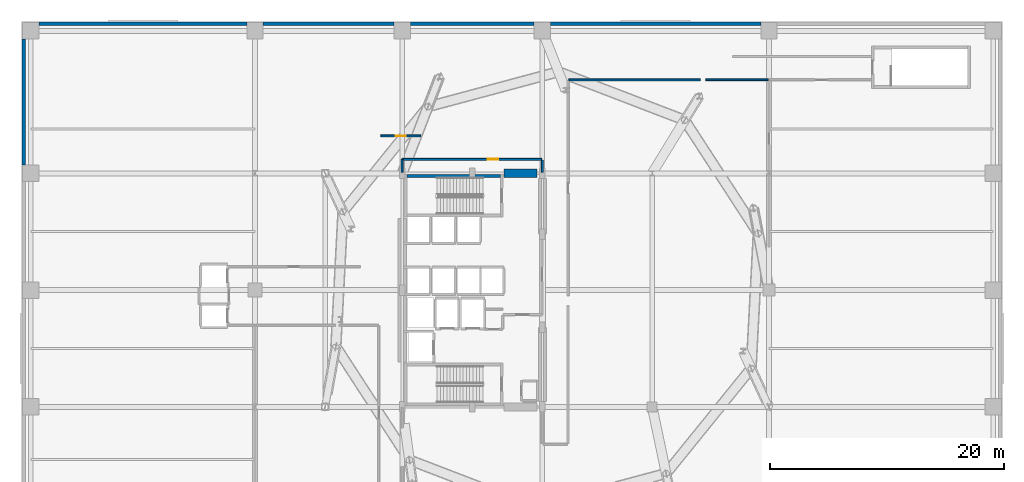
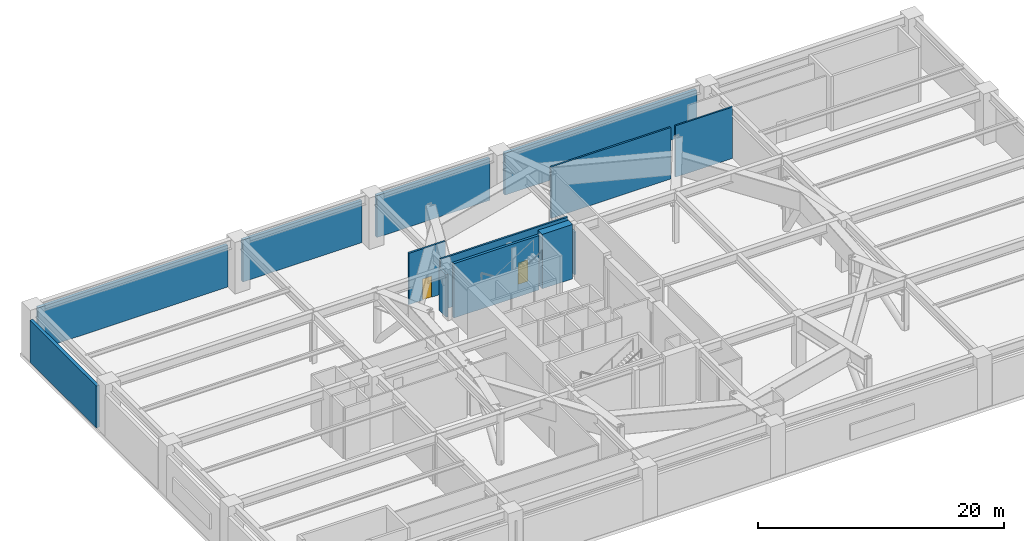
# One storey, part 8 of 12: 13 walls, 2 doors, 2 openings.
"""IFC4 building model written with IfcOpenShell, lengths in metres."""

from ifc_helpers import new_model, si_unit, direction, frame, frame_2d, origin, place, context, subcontext, project, spatial, rectangle, extrude, material, layer, layer_set, type_object, element, fill, save


model = new_model("IFC4")

# Units and contexts
model_context = context("Model", 3, precision=1e-05, world=origin(), true_north=direction((0.0, 1.0)))
body_context = subcontext(model_context, "Body", "Model", "MODEL_VIEW")
ifc_project = project(units=[si_unit("LENGTHUNIT", "METRE"), si_unit("AREAUNIT", "SQUARE_METRE"), si_unit("VOLUMEUNIT", "CUBIC_METRE"), si_unit("PLANEANGLEUNIT", "RADIAN"), si_unit("MASSUNIT", "GRAM", prefix="KILO")], contexts=[model_context])

# Site, building, storey
site_placement = place(None, origin())
site = spatial("IfcSite", under=ifc_project, at=site_placement, CompositionType="ELEMENT")
building_placement = place(site_placement, origin())
building = spatial("IfcBuilding", under=site, at=building_placement, Name="Soratama Intermodal Tower", CompositionType="ELEMENT")
storey_placement = place(building_placement, frame((0.0, 0.0, 25.199951171875)))
storey = spatial("IfcBuildingStorey", under=building, at=storey_placement, Name="L05", CompositionType="ELEMENT", Elevation=25.199951171875)

# Walls
ifc_material_1 = material(Name="Concrete f'c 42 MPa", Category="concrete")
ifc_layer_1 = layer(ifc_material_1, 0.300048828125)
ifc_layer_set_1 = layer_set([ifc_layer_1], Name="Concrete f'c 42 MPa")
wall_type_1 = type_object("IfcWallType", Name="EW-STONE-300", PredefinedType="SOLIDWALL", material=ifc_layer_set_1)
wall_1_placement = place(storey_placement, frame((1.5, 47.800048828125, 0.0), z_axis=(0.0, 0.0, 1.0), x_axis=(1.0, 0.0, 0.0)))
element("IfcWall", 1, at=wall_1_placement, inside=storey, type_object=wall_type_1, Name="L05 Transfer Plant Wall N1", PredefinedType="SOLIDWALL", context=body_context, shape_type="SweptSolid", body=[
    extrude(rectangle(XDim=17.800048828125, YDim=0.300048828125, at=frame_2d((8.89990234375, 0.0))), origin(), (0.0, 0.0, 1.0), 4.156005859375),
])
wall_2_placement = place(storey_placement, frame((20.699951171875, 47.800048828125, 0.0), z_axis=(0.0, 0.0, 1.0), x_axis=(1.0, 0.0, 0.0)))
element("IfcWall", 2, at=wall_2_placement, inside=storey, type_object=wall_type_1, Name="L05 Transfer Plant Wall N2", PredefinedType="SOLIDWALL", context=body_context, shape_type="SweptSolid", body=[
    extrude(rectangle(XDim=11.199951171875, YDim=0.300048828125, at=frame_2d((5.60009765625, 0.0))), origin(), (0.0, 0.0, 1.0), 4.156005859375),
])
wall_3_placement = place(storey_placement, frame((33.300048828125, 47.800048828125, 0.0), z_axis=(0.0, 0.0, 1.0), x_axis=(1.0, 0.0, 0.0)))
element("IfcWall", 3, at=wall_3_placement, inside=storey, type_object=wall_type_1, Name="L05 Transfer Plant Wall N3", PredefinedType="SOLIDWALL", context=body_context, shape_type="SweptSolid", body=[
    extrude(rectangle(XDim=10.599853515625, YDim=0.300048828125, at=frame_2d((5.2998046875, 0.0))), origin(), (0.0, 0.0, 1.0), 4.156005859375),
])
wall_4_placement = place(storey_placement, frame((45.300048828125, 47.800048828125, 0.0), z_axis=(0.0, 0.0, 1.0), x_axis=(1.0, 0.0, 0.0)))
element("IfcWall", 4, at=wall_4_placement, inside=storey, type_object=wall_type_1, Name="L05 Transfer Plant Wall N4", PredefinedType="SOLIDWALL", context=body_context, shape_type="SweptSolid", body=[
    extrude(rectangle(XDim=18.0, YDim=0.300048828125, at=frame_2d((9.0, 0.0))), origin(), (0.0, 0.0, 1.0), 4.156005859375),
])
wall_5_placement = place(storey_placement, frame((0.199951171875, 35.699951171875, 0.0), z_axis=(0.0, 0.0, 1.0), x_axis=(0.0, 1.0, 0.0)))
element("IfcWall", 5, at=wall_5_placement, inside=storey, type_object=wall_type_1, Name="L05 Transfer Plant Wall W4", PredefinedType="SOLIDWALL", context=body_context, shape_type="SweptSolid", body=[
    extrude(rectangle(XDim=10.800048828125, YDim=0.300048828125, at=frame_2d((5.39990234375, 0.0))), origin(), (0.0, 0.0, 1.0), 4.156005859375),
])
ifc_material_2 = material(Name="Fire-rated gypsum stud partition", Category="concrete")
ifc_layer_2 = layer(ifc_material_2, 0.14990234375)
ifc_layer_set_2 = layer_set([ifc_layer_2], Name="Fire-rated gypsum stud partition")
wall_type_2 = type_object("IfcWallType", Name="IW-PART-R150", PredefinedType="PARTITIONING", material=ifc_layer_set_2)
wall_6_placement = place(storey_placement, frame((63.929931640625, 43.0, 0.0), z_axis=(0.0, 0.0, 1.0), x_axis=(-1.0, 0.0, 0.0)))
element("IfcWall", 6, at=wall_6_placement, inside=storey, type_object=wall_type_2, Name="L05 Partition W-L05-TP030", PredefinedType="PARTITIONING", context=body_context, shape_type="SweptSolid", body=[
    extrude(rectangle(XDim=5.35205078125, YDim=0.14990234375, at=frame_2d((2.676025390625, 0.0))), origin(), (0.0, 0.0, 1.0), 5.10009765625),
])

# Wall, opening, door
ifc_material_3 = material(Name="Fire-rated gypsum stud partition", Category="concrete")
ifc_layer_3 = layer(ifc_material_3, 0.169921875)
ifc_layer_set_3 = layer_set([ifc_layer_3], Name="Fire-rated gypsum stud partition")
wall_type_3 = type_object("IfcWallType", Name="IW-PART-R170", PredefinedType="PARTITIONING", material=ifc_layer_set_3)
wall_7_placement = place(storey_placement, frame((44.530029296875, 36.199951171875, 0.0), z_axis=(0.0, 0.0, 1.0), x_axis=(-1.0, 0.0, 0.0)))
wall_7 = element("IfcWall", 7, at=wall_7_placement, inside=storey, type_object=wall_type_3, Name="L05 Partition W-L05-TP005", PredefinedType="PARTITIONING", context=body_context, shape_type="SweptSolid", body=[
    extrude(rectangle(XDim=11.929931640625, YDim=0.169921875, at=frame_2d((5.96484375, 0.0))), origin(), (0.0, 0.0, 1.0), 5.10009765625),
])
opening_1_placement = place(wall_7_placement, frame((3.699951171875, 0.0, 0.0)))
opening_1 = element("IfcOpeningElement", 8, at=opening_1_placement, cuts=wall_7, Name="Opening ID-6", PredefinedType="OPENING", context=body_context, shape_type="SweptSolid", body=[
    extrude(rectangle(XDim=0.919921875, YDim=2.1201171875, at=frame_2d((0.4599609375, 1.06005859375))), frame((0.0, 0.094970703125, 0.0), z_axis=(0.0, -1.0, 0.0), x_axis=(1.0, 0.0, 0.0)), (0.0, 0.0, 1.0), 0.18994140625),
])
ifc_material_4 = material(Name="Solid hardwood acoustic door", Category="wood")
door_type_1 = type_object("IfcDoorType", Name="DR-ROOM-920", OperationType="NOTDEFINED", PredefinedType="DOOR", material=ifc_material_4)
door_1_placement = place(opening_1_placement, origin())
door_1 = element("IfcDoor", 9, at=door_1_placement, inside=storey, type_object=door_type_1, Name="L05 Door D-L05-TP003", OperationType="SINGLE_SWING_RIGHT", OverallHeight=2.1201171875, OverallWidth=0.919921875, PredefinedType="DOOR", context=body_context, shape_type="SweptSolid", body=[
    extrude(rectangle(XDim=0.919921875, YDim=2.1201171875, at=frame_2d((0.4599609375, 1.06005859375))), frame((0.0, 0.02490234375, 0.0), z_axis=(0.0, -1.0, 0.0), x_axis=(1.0, 0.0, 0.0)), (0.0, 0.0, 1.0), 0.050048828125),
])
fill(opening_1, door_1)

# Walls
wall_8_placement = place(storey_placement, frame((32.60009765625, 36.199951171875, 0.0), z_axis=(0.0, 0.0, 1.0), x_axis=(0.0, -1.0, 0.0)))
element("IfcWall", 10, at=wall_8_placement, inside=storey, type_object=wall_type_3, Name="L05 Partition W-L05-TP020", PredefinedType="PARTITIONING", context=body_context, shape_type="SweptSolid", body=[
    extrude(rectangle(XDim=1.1298828125, YDim=0.169921875, at=frame_2d((0.56494140625, 0.0))), origin(), (0.0, 0.0, 1.0), 4.22216796875),
])
wall_9_placement = place(storey_placement, frame((44.60009765625, 35.070068359375, 0.0), z_axis=(0.0, 0.0, 1.0), x_axis=(0.0, 1.0, 0.0)))
element("IfcWall", 11, at=wall_9_placement, inside=storey, type_object=wall_type_3, Name="L05 Partition W-L05-TP022", PredefinedType="PARTITIONING", context=body_context, shape_type="SweptSolid", body=[
    extrude(rectangle(XDim=1.059814453125, YDim=0.169921875, at=frame_2d((0.52978515625, 0.0))), origin(), (0.0, 0.0, 1.0), 4.22216796875),
])
wall_10_placement = place(storey_placement, frame((58.12109375, 43.0, 0.0), z_axis=(0.0, 0.0, 1.0), x_axis=(-1.0, 0.0, 0.0)))
element("IfcWall", 12, at=wall_10_placement, inside=storey, type_object=wall_type_3, Name="L05 Partition W-L05-TP028", PredefinedType="PARTITIONING", context=body_context, shape_type="SweptSolid", body=[
    extrude(rectangle(XDim=11.2509765625, YDim=0.169921875, at=frame_2d((5.62548828125, 0.0))), origin(), (0.0, 0.0, 1.0), 5.10009765625),
])

# Wall, opening, door
wall_11_placement = place(storey_placement, frame((30.77294921875, 38.199951171875, 0.0), z_axis=(0.0, 0.0, 1.0), x_axis=(1.0, 0.0, 0.0)))
wall_11 = element("IfcWall", 13, at=wall_11_placement, inside=storey, type_object=wall_type_3, Name="L05 Partition W-L05-TP031", PredefinedType="PARTITIONING", context=body_context, shape_type="SweptSolid", body=[
    extrude(rectangle(XDim=3.43310546875, YDim=0.169921875, at=frame_2d((1.716552734375, 0.0))), origin(), (0.0, 0.0, 1.0), 5.10009765625),
])
opening_2_placement = place(wall_11_placement, frame((1.2919921875, 0.0, 0.0)))
opening_2 = element("IfcOpeningElement", 14, at=opening_2_placement, cuts=wall_11, Name="Opening ID-4", PredefinedType="OPENING", context=body_context, shape_type="SweptSolid", body=[
    extrude(rectangle(XDim=0.85009765625, YDim=2.10009765625, at=frame_2d((0.425048828125, 1.050048828125))), frame((0.0, 0.094970703125, 0.0), z_axis=(0.0, -1.0, 0.0), x_axis=(1.0, 0.0, 0.0)), (0.0, 0.0, 1.0), 0.18994140625),
])
ifc_material_5 = material(Name="Solid hardwood acoustic door", Category="wood")
door_type_2 = type_object("IfcDoorType", Name="DR-BATH-850", OperationType="NOTDEFINED", PredefinedType="DOOR", material=ifc_material_5)
door_2_placement = place(opening_2_placement, origin())
door_2 = element("IfcDoor", 15, at=door_2_placement, inside=storey, type_object=door_type_2, Name="L05 Door D-L05-TP013", OperationType="SINGLE_SWING_LEFT", OverallHeight=2.10009765625, OverallWidth=0.85009765625, PredefinedType="DOOR", context=body_context, shape_type="SweptSolid", body=[
    extrude(rectangle(XDim=0.85009765625, YDim=2.10009765625, at=frame_2d((0.425048828125, 1.050048828125))), frame((0.0, 0.02490234375, 0.0), z_axis=(0.0, -1.0, 0.0), x_axis=(1.0, 0.0, 0.0)), (0.0, 0.0, 1.0), 0.050048828125),
])
fill(opening_2, door_2)

# Walls
ifc_material_6 = material(Name="Concrete f'c 56 MPa", Category="concrete")
ifc_layer_4 = layer(ifc_material_6, 0.699951171875)
ifc_layer_set_4 = layer_set([ifc_layer_4], Name="Concrete f'c 56 MPa")
wall_type_4 = type_object("IfcWallType", Name="SW-CORE-700", PredefinedType="SHEAR", material=ifc_layer_set_4)
wall_12_placement = place(storey_placement, frame((41.300048828125, 35.0, 0.0), z_axis=(0.0, 0.0, 1.0), x_axis=(1.0, 0.0, 0.0)))
element("IfcWall", 16, at=wall_12_placement, inside=storey, type_object=wall_type_4, Name="L05 Core Shear Wall CW-NE", PredefinedType="SHEAR", context=body_context, shape_type="SweptSolid", body=[
    extrude(rectangle(XDim=2.849853515625, YDim=0.699951171875, at=frame_2d((1.4248046875, 0.0))), origin(), (0.0, 0.0, 1.0), 5.400146484375),
])
ifc_material_7 = material(Name="Concrete f'c 56 MPa", Category="concrete")
ifc_layer_5 = layer(ifc_material_7, 0.239990234375)
ifc_layer_set_5 = layer_set([ifc_layer_5], Name="Concrete f'c 56 MPa")
wall_type_5 = type_object("IfcWallType", Name="SW-STAIR-240", PredefinedType="SHEAR", material=ifc_layer_set_5)
wall_13_placement = place(storey_placement, frame((33.0, 34.77001953125, 0.0), z_axis=(0.0, 0.0, 1.0), x_axis=(1.0, 0.0, 0.0)))
element("IfcWall", 17, at=wall_13_placement, inside=storey, type_object=wall_type_5, Name="L05 ST-2 Shaft Shear Wall N", PredefinedType="SHEAR", context=body_context, shape_type="SweptSolid", body=[
    extrude(rectangle(XDim=8.0, YDim=0.239990234375, at=frame_2d((4.0, 0.0))), origin(), (0.0, 0.0, 1.0), 5.400146484375),
])

save(model, "model.ifc")
